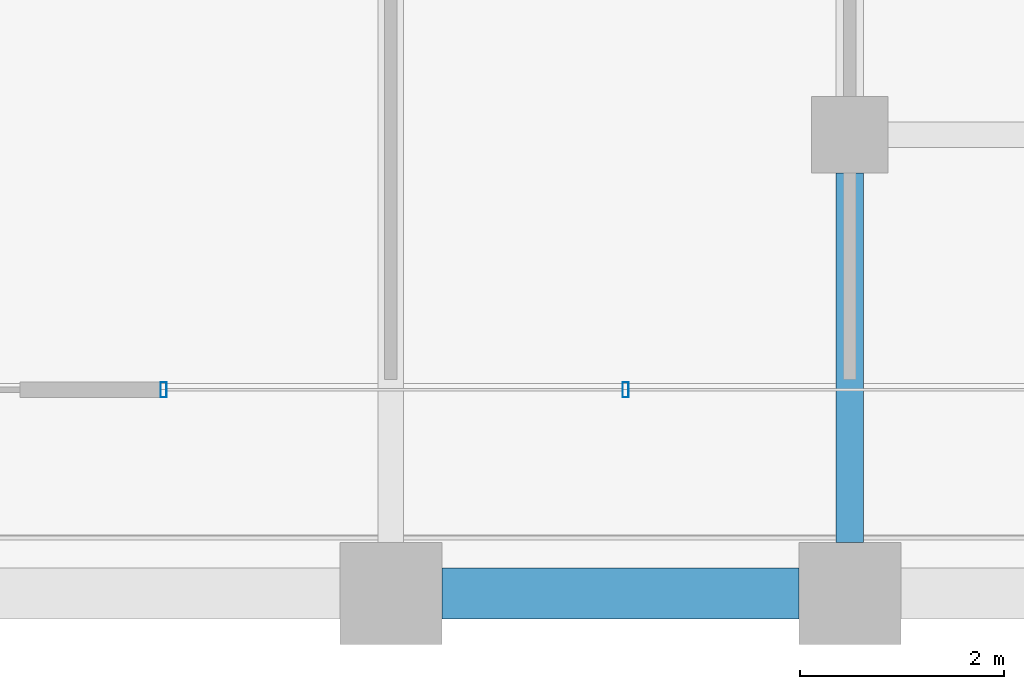
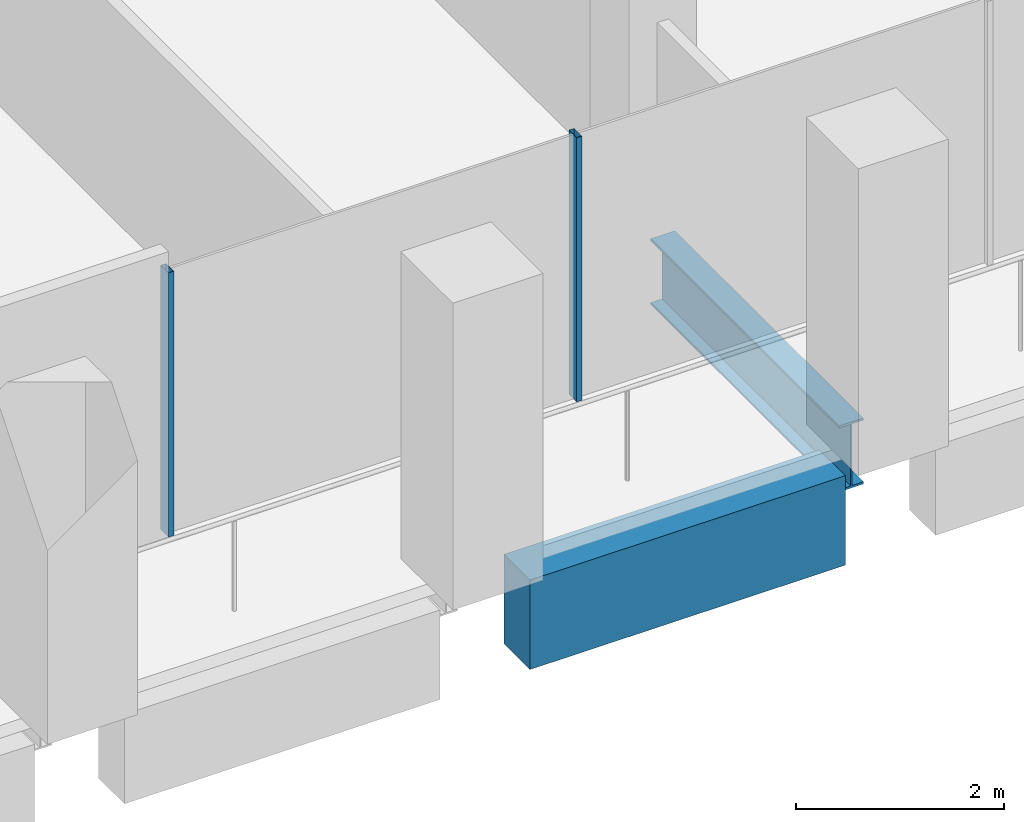
# One storey, part 9 of 45: 2 beams, 2 members, 1 element without a shape of its own.
"""IFC4 building model written with IfcOpenShell, lengths in metres."""

from ifc_helpers import new_model, si_unit, direction, frame, origin, origin_2d, place, context, subcontext, project, spatial, rectangle, hollow_rectangle, i_section, extrude, material, material_profile, profile_set, type_object, element, aggregate, save


model = new_model("IFC4")

# Units and contexts
model_context = context("Model", 3, precision=1e-05, world=origin(), true_north=direction((0.0, 1.0)))
body_context = subcontext(model_context, "Body", "Model", "MODEL_VIEW")
ifc_project = project(units=[si_unit("LENGTHUNIT", "METRE"), si_unit("AREAUNIT", "SQUARE_METRE"), si_unit("VOLUMEUNIT", "CUBIC_METRE"), si_unit("PLANEANGLEUNIT", "RADIAN"), si_unit("MASSUNIT", "GRAM", prefix="KILO")], contexts=[model_context])

# Site, building, storey
site_placement = place(None, origin())
site = spatial("IfcSite", under=ifc_project, at=site_placement, CompositionType="ELEMENT")
building_placement = place(site_placement, origin())
building = spatial("IfcBuilding", under=site, at=building_placement, Name="Altepetl Exchange Towers", CompositionType="ELEMENT")
storey_placement = place(building_placement, frame((0.0, 0.0, 110.0)))
storey = spatial("IfcBuildingStorey", under=building, at=storey_placement, Name="L27", CompositionType="ELEMENT", Elevation=110.0)

# Beam
ifc_material_1 = material(Name="Steel S355", Category="steel")
ifc_material_profile_1 = material_profile(ifc_material_1, i_section(OverallWidth=0.26806640625, OverallDepth=0.77392578125, WebThickness=0.015380859375, FlangeThickness=0.025390625, at=origin_2d()), Name="W30X132")
ifc_profile_set_1 = profile_set([ifc_material_profile_1], Name="Steel S355")
beam_type_1 = type_object("IfcBeamType", Name="Girder W30X132", PredefinedType="BEAM", material=ifc_profile_set_1)
beam_1_placement = place(storey_placement, frame((58.5, 31.125, -0.537109375), z_axis=(0.0, -1.0, 0.0), x_axis=(1.0, 0.0, 0.0)))
element("IfcBeam", 1, at=beam_1_placement, inside=storey, type_object=beam_type_1, Name="gd:A:L27:005", PredefinedType="BEAM", context=body_context, shape_type="SweptSolid", body=[
    extrude(i_section(OverallWidth=0.26806640625, OverallDepth=0.77392578125, WebThickness=0.015380859375, FlangeThickness=0.025390625, at=origin_2d()), origin(), (0.0, 0.0, 1.0), 3.625),
])

# Curtain wall, members
ifc_material_2 = material(Name="Aluminium 6063-T6 glazing", Category="aluminium")
curtain_wall_type = type_object("IfcCurtainWallType", Name="Loggia glazing system", PredefinedType="NOTDEFINED", material=ifc_material_2)
curtain_wall_placement = place(storey_placement, origin())
curtain_wall = element("IfcCurtainWall", 2, at=curtain_wall_placement, inside=storey, type_object=curtain_wall_type, Name="CW1 run", PredefinedType="NOTDEFINED")
ifc_material_3 = material(Name="Aluminium 6063-T6", Category="aluminium")
ifc_material_profile_2 = material_profile(ifc_material_3, hollow_rectangle(XDim=0.06005859375, YDim=0.14990234375, WallThickness=0.0029296875, at=origin_2d()), Name="Mullion 60x150 aluminium")
ifc_profile_set_2 = profile_set([ifc_material_profile_2], Name="Aluminium 6063-T6")
member_type = type_object("IfcMemberType", Name="Mullion 60x150 aluminium", PredefinedType="MULLION", material=ifc_profile_set_2)
member_1_placement = place(storey_placement, frame((51.77294921875, 29.0, 0.0)))
member_1 = element("IfcMember", 3, at=member_1_placement, type_object=member_type, Name="MU1 mullion", PredefinedType="MULLION", context=body_context, shape_type="SweptSolid", body=[
    extrude(hollow_rectangle(XDim=0.06005859375, YDim=0.14990234375, WallThickness=0.0029296875, at=origin_2d()), origin(), (0.0, 0.0, 1.0), 3.10009765625),
])
member_2_placement = place(storey_placement, frame((56.303466796875, 29.0, 0.0)))
member_2 = element("IfcMember", 4, at=member_2_placement, type_object=member_type, Name="MU1 mullion", PredefinedType="MULLION", context=body_context, shape_type="SweptSolid", body=[
    extrude(hollow_rectangle(XDim=0.06005859375, YDim=0.14990234375, WallThickness=0.0029296875, at=origin_2d()), origin(), (0.0, 0.0, 1.0), 3.10009765625),
])
aggregate(curtain_wall, [member_1, member_2])

# Beam
ifc_material_4 = material(Name="Concrete C50/60 precast with cantera blanca facing", Category="concrete")
ifc_material_profile_3 = material_profile(ifc_material_4, rectangle(XDim=0.5, YDim=1.050048828125, at=origin_2d()), Name="500 x 1050")
ifc_profile_set_3 = profile_set([ifc_material_profile_3], Name="Concrete C50/60 precast with cantera blanca facing")
beam_type_2 = type_object("IfcBeamType", Name="Spandrel beam 500x1050 cantera blanca", PredefinedType="SPANDREL", material=ifc_profile_set_3)
beam_2_placement = place(storey_placement, frame((54.5, 27.0, -0.675048828125), z_axis=(1.0, 0.0, 0.0), x_axis=(0.0, 1.0, 0.0)))
element("IfcBeam", 5, at=beam_2_placement, inside=storey, type_object=beam_type_2, Name="sp:A:L27:005", PredefinedType="SPANDREL", context=body_context, shape_type="SweptSolid", body=[
    extrude(rectangle(XDim=0.5, YDim=1.050048828125, at=origin_2d()), origin(), (0.0, 0.0, 1.0), 3.5),
])

save(model, "model.ifc")
